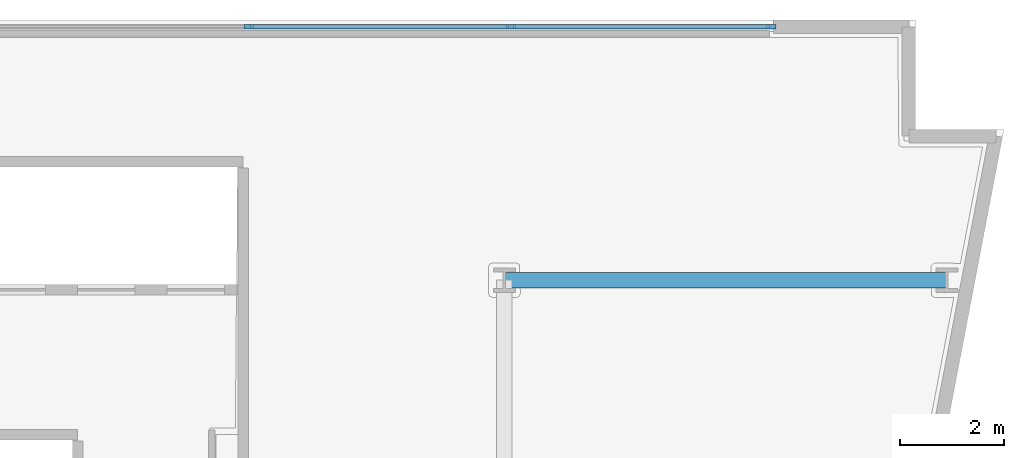
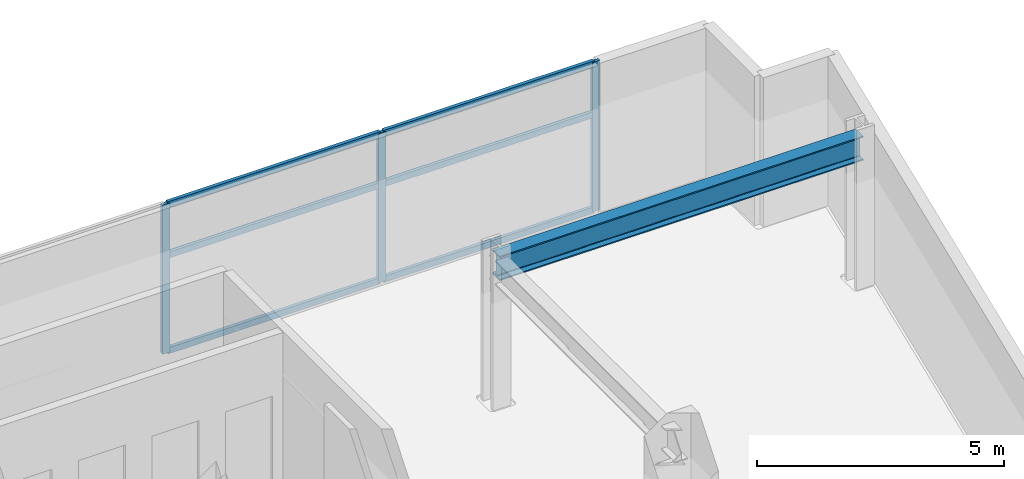
# One storey, part 4 of 12: 9 members, 1 beam, 1 element without a shape of its own.
"""IFC4 building model written with IfcOpenShell, lengths in metres."""

from ifc_helpers import new_model, si_unit, direction, frame, origin, origin_2d, place, context, subcontext, project, spatial, rectangle, i_section, extrude, material, layer, layer_set, material_profile, profile_set, type_object, element, aggregate, save


model = new_model("IFC4")

# Units and contexts
model_context = context("Model", 3, precision=1e-05, world=origin(), true_north=direction((0.0, 1.0)))
body_context = subcontext(model_context, "Body", "Model", "MODEL_VIEW")
ifc_project = project(units=[si_unit("LENGTHUNIT", "METRE"), si_unit("AREAUNIT", "SQUARE_METRE"), si_unit("VOLUMEUNIT", "CUBIC_METRE"), si_unit("PLANEANGLEUNIT", "RADIAN"), si_unit("MASSUNIT", "GRAM", prefix="KILO")], contexts=[model_context])

# Site, building, storey
site_placement = place(None, origin())
site = spatial("IfcSite", under=ifc_project, at=site_placement, CompositionType="ELEMENT")
building_placement = place(site_placement, origin())
building = spatial("IfcBuilding", under=site, at=building_placement, Name="Caeloran Harvest Quay", CompositionType="ELEMENT")
storey_placement = place(building_placement, frame((0.0, 0.0, 154.85009765625)))
storey = spatial("IfcBuildingStorey", under=building, at=storey_placement, Name="L36", CompositionType="ELEMENT", Elevation=154.85009765625)

# Beam
ifc_material_1 = material(Name="Steel S355J2", Category="steel")
ifc_material_profile_1 = material_profile(ifc_material_1, i_section(OverallWidth=0.300048828125, OverallDepth=0.60009765625, WebThickness=0.015380859375, FlangeThickness=0.030029296875, FilletRadius=0.027099609375, at=origin_2d()), Name="HE 600 B")
ifc_profile_set_1 = profile_set([ifc_material_profile_1], Name="Steel S355J2")
beam_type = type_object("IfcBeamType", Name="BM-PG-3-HE_600_B", PredefinedType="BEAM", material=ifc_profile_set_1)
beam_placement = place(storey_placement, frame((42.5, 38.5, 3.389892578125), z_axis=(1.0, 0.0, 0.0), x_axis=(0.0, 1.0, 0.0)))
element("IfcBeam", 1, at=beam_placement, inside=storey, type_object=beam_type, Name="L36 Primary East-West Girder Y=38.5", PredefinedType="BEAM", context=body_context, shape_type="SweptSolid", body=[
    extrude(i_section(OverallWidth=0.300048828125, OverallDepth=0.60009765625, WebThickness=0.015380859375, FlangeThickness=0.030029296875, FilletRadius=0.027099609375, at=origin_2d()), origin(), (0.0, 0.0, 1.0), 8.5),
])

# Curtain wall, members
ifc_material_2 = material(Name="Aluminium 6063-T6 and Low-E Glazing", Category="aluminium")
ifc_layer = layer(ifc_material_2, 0.22998046875, Name="Aluminium 6063-T6 and Low-E Glazing")
ifc_layer_set = layer_set([ifc_layer], Name="Aluminium 6063-T6 and Low-E Glazing")
curtain_wall_type = type_object("IfcCurtainWallType", Name="CW-SYS-CW-6", PredefinedType="USERDEFINED", material=ifc_layer_set)
curtain_wall_placement = place(storey_placement, origin())
curtain_wall = element("IfcCurtainWall", 2, at=curtain_wall_placement, inside=storey, type_object=curtain_wall_type, Name="L36 Unitised Curtain Wall CW-6 Run 6", ObjectType="CURTAIN_WALL", PredefinedType="USERDEFINED")
ifc_material_3 = material(Name="Aluminium 6063-T6", Category="aluminium")
ifc_material_profile_2 = material_profile(ifc_material_3, rectangle(XDim=0.080078125, YDim=0.179931640625, at=origin_2d()), Name="CW-MULLION-180")
ifc_profile_set_2 = profile_set([ifc_material_profile_2], Name="Aluminium 6063-T6")
member_type_1 = type_object("IfcMemberType", Name="CW-MULLION-180", PredefinedType="MULLION", material=ifc_profile_set_2)
member_1_placement = place(storey_placement, frame((37.5849609375, 43.3701171875, 0.0), z_axis=(0.0, 0.0, 1.0), x_axis=(0.0, 1.0, 0.0)))
member_1 = element("IfcMember", 3, at=member_1_placement, type_object=member_type_1, Name="CW-6 mullion 7", PredefinedType="MULLION", context=body_context, shape_type="SweptSolid", body=[
    extrude(rectangle(XDim=0.080078125, YDim=0.179931640625, at=origin_2d()), origin(), (0.0, 0.0, 1.0), 3.68994140625),
])
member_2_placement = place(storey_placement, frame((42.62744140625, 43.3701171875, 0.0), z_axis=(0.0, 0.0, 1.0), x_axis=(0.0, 1.0, 0.0)))
member_2 = element("IfcMember", 4, at=member_2_placement, type_object=member_type_1, Name="CW-6 mullion 8", PredefinedType="MULLION", context=body_context, shape_type="SweptSolid", body=[
    extrude(rectangle(XDim=0.080078125, YDim=0.179931640625, at=origin_2d()), origin(), (0.0, 0.0, 1.0), 3.68994140625),
])
member_3_placement = place(storey_placement, frame((47.6298828125, 43.3701171875, 0.0), z_axis=(0.0, 0.0, 1.0), x_axis=(0.0, 1.0, 0.0)))
member_3 = element("IfcMember", 5, at=member_3_placement, type_object=member_type_1, Name="CW-6 mullion 9", PredefinedType="MULLION", context=body_context, shape_type="SweptSolid", body=[
    extrude(rectangle(XDim=0.080078125, YDim=0.179931640625, at=origin_2d()), origin(), (0.0, 0.0, 1.0), 3.68994140625),
])
ifc_material_profile_3 = material_profile(ifc_material_3, rectangle(XDim=0.080078125, YDim=0.14990234375, at=origin_2d()), Name="CW-TRANSOM-150")
ifc_profile_set_3 = profile_set([ifc_material_profile_3], Name="Aluminium 6063-T6")
member_type_2 = type_object("IfcMemberType", Name="CW-TRANSOM-150", PredefinedType="USERDEFINED", material=ifc_profile_set_3)
member_4_placement = place(storey_placement, frame((37.625, 43.3701171875, 0.039794921875), z_axis=(1.0, 0.0, 0.0), x_axis=(0.0, 1.0, 0.0)))
member_4 = element("IfcMember", 6, at=member_4_placement, type_object=member_type_2, Name="CW-6 transom 7.1", ObjectType="TRANSOM", PredefinedType="USERDEFINED", context=body_context, shape_type="SweptSolid", body=[
    extrude(rectangle(XDim=0.080078125, YDim=0.14990234375, at=origin_2d()), origin(), (0.0, 0.0, 1.0), 4.96240234375),
])
member_5_placement = place(storey_placement, frame((37.625, 43.3701171875, 2.39990234375), z_axis=(1.0, 0.0, 0.0), x_axis=(0.0, 1.0, 0.0)))
member_5 = element("IfcMember", 7, at=member_5_placement, type_object=member_type_2, Name="CW-6 transom 7.2", ObjectType="TRANSOM", PredefinedType="USERDEFINED", context=body_context, shape_type="SweptSolid", body=[
    extrude(rectangle(XDim=0.080078125, YDim=0.14990234375, at=origin_2d()), origin(), (0.0, 0.0, 1.0), 4.96240234375),
])
member_6_placement = place(storey_placement, frame((37.625, 43.3701171875, 3.64990234375), z_axis=(1.0, 0.0, 0.0), x_axis=(0.0, 1.0, 0.0)))
member_6 = element("IfcMember", 8, at=member_6_placement, type_object=member_type_2, Name="CW-6 transom 7.3", ObjectType="TRANSOM", PredefinedType="USERDEFINED", context=body_context, shape_type="SweptSolid", body=[
    extrude(rectangle(XDim=0.080078125, YDim=0.14990234375, at=origin_2d()), origin(), (0.0, 0.0, 1.0), 4.96240234375),
])
member_7_placement = place(storey_placement, frame((42.66748046875, 43.3701171875, 0.039794921875), z_axis=(1.0, 0.0, 0.0), x_axis=(0.0, 1.0, 0.0)))
member_7 = element("IfcMember", 9, at=member_7_placement, type_object=member_type_2, Name="CW-6 transom 8.1", ObjectType="TRANSOM", PredefinedType="USERDEFINED", context=body_context, shape_type="SweptSolid", body=[
    extrude(rectangle(XDim=0.080078125, YDim=0.14990234375, at=origin_2d()), origin(), (0.0, 0.0, 1.0), 4.922607421875),
])
member_8_placement = place(storey_placement, frame((42.66748046875, 43.3701171875, 2.39990234375), z_axis=(1.0, 0.0, 0.0), x_axis=(0.0, 1.0, 0.0)))
member_8 = element("IfcMember", 10, at=member_8_placement, type_object=member_type_2, Name="CW-6 transom 8.2", ObjectType="TRANSOM", PredefinedType="USERDEFINED", context=body_context, shape_type="SweptSolid", body=[
    extrude(rectangle(XDim=0.080078125, YDim=0.14990234375, at=origin_2d()), origin(), (0.0, 0.0, 1.0), 4.922607421875),
])
member_9_placement = place(storey_placement, frame((42.66748046875, 43.3701171875, 3.64990234375), z_axis=(1.0, 0.0, 0.0), x_axis=(0.0, 1.0, 0.0)))
member_9 = element("IfcMember", 11, at=member_9_placement, type_object=member_type_2, Name="CW-6 transom 8.3", ObjectType="TRANSOM", PredefinedType="USERDEFINED", context=body_context, shape_type="SweptSolid", body=[
    extrude(rectangle(XDim=0.080078125, YDim=0.14990234375, at=origin_2d()), origin(), (0.0, 0.0, 1.0), 4.922607421875),
])
aggregate(curtain_wall, [member_1, member_2, member_3, member_4, member_5, member_6, member_7, member_8, member_9])

save(model, "model.ifc")
